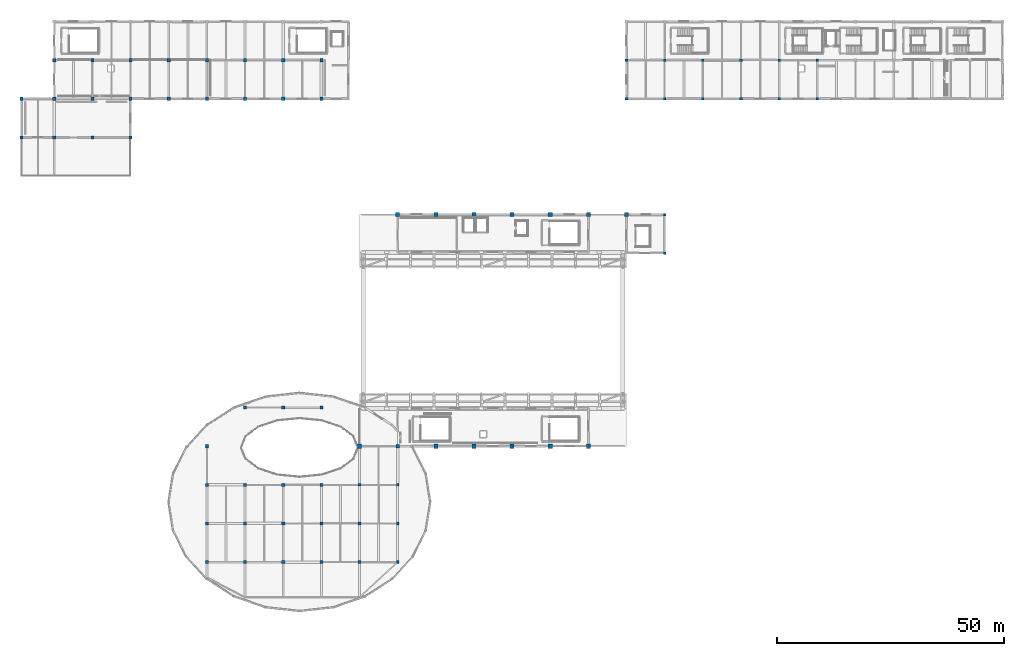
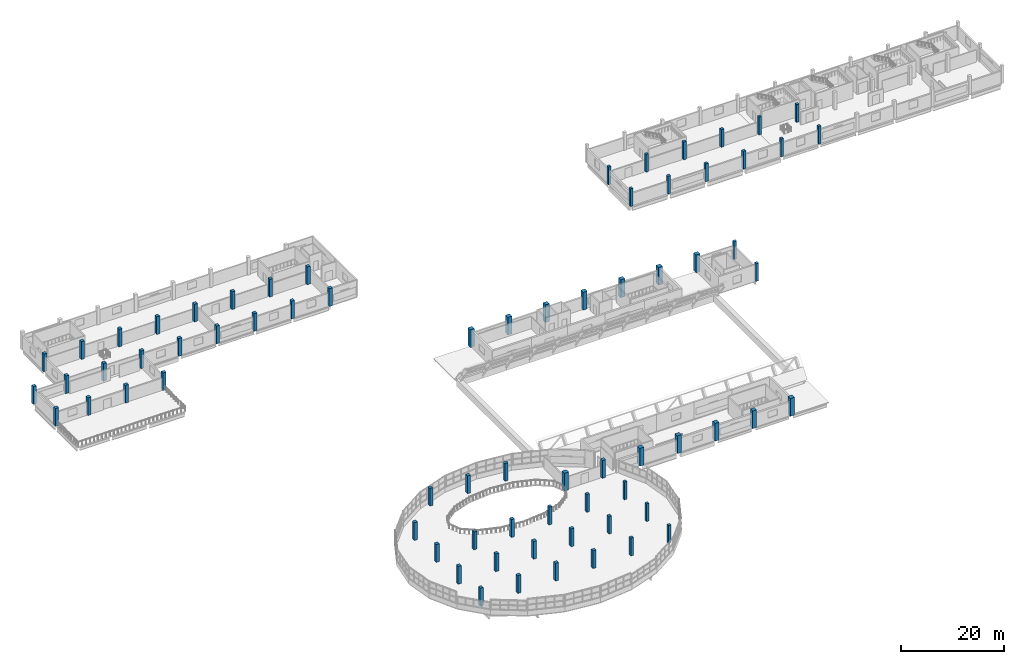
# One storey, part 1 of 52: 71 columns.
"""IFC4 building model written with IfcOpenShell, lengths in metres."""

from ifc_helpers import new_model, si_unit, direction, frame, origin, origin_2d, place, context, subcontext, project, spatial, rectangle, extrude, material, material_profile, profile_set, type_object, element, save


model = new_model("IFC4")

# Units and contexts
model_context = context("Model", 3, precision=1e-05, world=origin(), true_north=direction((0.0, 1.0)))
body_context = subcontext(model_context, "Body", "Model", "MODEL_VIEW")
ifc_project = project(units=[si_unit("LENGTHUNIT", "METRE"), si_unit("AREAUNIT", "SQUARE_METRE"), si_unit("VOLUMEUNIT", "CUBIC_METRE"), si_unit("PLANEANGLEUNIT", "RADIAN"), si_unit("MASSUNIT", "GRAM", prefix="KILO")], contexts=[model_context])

# Site, building, storey
site_placement = place(None, origin())
site = spatial("IfcSite", under=ifc_project, at=site_placement, CompositionType="ELEMENT")
building_placement = place(site_placement, origin())
building = spatial("IfcBuilding", under=site, at=building_placement, Name="Solvento Point Concert Hall", CompositionType="ELEMENT")
storey_placement = place(building_placement, frame((0.0, 0.0, 19.5)))
storey = spatial("IfcBuildingStorey", under=building, at=storey_placement, Name="L04", CompositionType="ELEMENT", Elevation=19.5)

# Columns
ifc_material_1 = material(Name="Concrete C40/50", Category="concrete")
ifc_material_profile_1 = material_profile(ifc_material_1, rectangle(XDim=0.60009765625, YDim=0.60009765625, at=origin_2d()), Name="RC-COL-600X600")
ifc_profile_set_1 = profile_set([ifc_material_profile_1], Name="Concrete C40/50")
column_type_1 = type_object("IfcColumnType", Name="Col_RC_600", PredefinedType="COLUMN", material=ifc_profile_set_1)
for number, where, z_axis, x_axis, name in (
    (1, (74.39990234375, 17.0, 0.0), (0.0, 0.0, 1.0), (1.0, 0.0, 0.0), "Column C-88 10/C L04"),
    (2, (74.39990234375, 25.5, 0.0), (0.0, 0.0, 1.0), (1.0, 0.0, 0.0), "Column C-88 10/D L04"),
    (3, (74.39990234375, 34.0, 0.0), (0.0, 0.0, 1.0), (1.0, 0.0, 0.0), "Column C-88 10/E L04"),
    (4, (82.800048828125, 17.0, 0.0), (0.0, 0.0, 1.0), (1.0, 0.0, 0.0), "Column C-88 11/C L04"),
    (5, (82.800048828125, 25.5, 0.0), (0.0, 0.0, 1.0), (1.0, 0.0, 0.0), "Column C-88 11/D L04"),
    (6, (82.800048828125, 34.0, 0.0), (0.0, 0.0, 1.0), (1.0, 0.0, 0.0), "Column C-88 11/E L04"),
    (7, (133.199951171875, 119.0, 0.0), (0.0, 0.0, 1.0), (1.0, 0.0, 0.0), "Column C-88 17/Q L04"),
    (8, (133.199951171875, 127.5, 0.0), (0.0, 0.0, 1.0), (1.0, 0.0, 0.0), "Column C-88 17/R L04"),
    (9, (141.60009765625, 85.0, 0.0), (0.0, 0.0, 1.0), (1.0, 0.0, 0.0), "Column C-88 18/L L04"),
    (10, (141.60009765625, 93.5, 0.0), (0.0, 0.0, 1.0), (1.0, 0.0, 0.0), "Column C-88 18/M L04"),
    (11, (141.60009765625, 119.0, 0.0), (0.0, 0.0, 1.0), (1.0, 0.0, 0.0), "Column C-88 18/Q L04"),
    (12, (141.60009765625, 127.5, 0.0), (0.0, 0.0, 1.0), (1.0, 0.0, 0.0), "Column C-88 18/R L04"),
    (13, (150.0, 119.0, 0.0), (0.0, 0.0, 1.0), (1.0, 0.0, 0.0), "Column C-88 19/Q L04"),
    (14, (150.0, 127.5, 0.0), (0.0, 0.0, 1.0), (1.0, 0.0, 0.0), "Column C-88 19/R L04"),
    (15, (158.39990234375, 119.0, 0.0), (0.0, 0.0, 1.0), (1.0, 0.0, 0.0), "Column C-88 20/Q L04"),
    (16, (158.39990234375, 127.5, 0.0), (0.0, 0.0, 1.0), (1.0, 0.0, 0.0), "Column C-88 20/R L04"),
    (17, (166.800048828125, 119.0, 0.0), (0.0, 0.0, 1.0), (1.0, 0.0, 0.0), "Column C-88 21/Q L04"),
    (18, (166.800048828125, 127.5, 0.0), (0.0, 0.0, 1.0), (1.0, 0.0, 0.0), "Column C-88 21/R L04"),
    (19, (175.199951171875, 119.0, 0.0), (0.0, 0.0, 1.0), (1.0, 0.0, 0.0), "Column C-88 22/Q L04"),
    (20, (175.199951171875, 127.5, 0.0), (0.0, 0.0, 1.0), (1.0, 0.0, 0.0), "Column C-88 22/R L04"),
):
    element("IfcColumn", number, at=place(storey_placement, frame(where, z_axis=z_axis, x_axis=x_axis)), inside=storey, type_object=column_type_1, Name=name, PredefinedType="COLUMN", context=body_context, shape_type="SweptSolid", body=[
        extrude(rectangle(XDim=0.60009765625, YDim=0.60009765625, at=origin_2d()), origin(), (0.0, 0.0, 1.0), 4.199951171875),
    ])
ifc_material_2 = material(Name="Concrete C40/50", Category="concrete")
ifc_material_profile_2 = material_profile(ifc_material_2, rectangle(XDim=0.699951171875, YDim=0.699951171875, at=origin_2d()), Name="RC-COL-700X700")
ifc_profile_set_2 = profile_set([ifc_material_profile_2], Name="Concrete C40/50")
column_type_2 = type_object("IfcColumnType", Name="Col_RC_700", PredefinedType="COLUMN", material=ifc_profile_set_2)
for number, where, z_axis, x_axis, name in (
    (21, (0.0, 110.5, 0.0), (0.0, 0.0, 1.0), (1.0, 0.0, 0.0), "Column C-73 01/P L04"),
    (22, (0.0, 119.0, 0.0), (0.0, 0.0, 1.0), (1.0, 0.0, 0.0), "Column C-73 01/Q L04"),
    (23, (7.199951171875, 110.5, 0.0), (0.0, 0.0, 1.0), (1.0, 0.0, 0.0), "Column C-73 02/P L04"),
    (24, (7.199951171875, 119.0, 0.0), (0.0, 0.0, 1.0), (1.0, 0.0, 0.0), "Column C-73 02/Q L04"),
    (25, (7.199951171875, 127.5, 0.0), (0.0, 0.0, 1.0), (1.0, 0.0, 0.0), "Column C-73 02/R L04"),
    (26, (15.60009765625, 110.5, 0.0), (0.0, 0.0, 1.0), (1.0, 0.0, 0.0), "Column C-73 03/P L04"),
    (27, (15.60009765625, 119.0, 0.0), (0.0, 0.0, 1.0), (1.0, 0.0, 0.0), "Column C-73 03/Q L04"),
    (28, (15.60009765625, 127.5, 0.0), (0.0, 0.0, 1.0), (1.0, 0.0, 0.0), "Column C-73 03/R L04"),
    (29, (24.0, 110.5, 0.0), (0.0, 0.0, 1.0), (1.0, 0.0, 0.0), "Column C-73 04/P L04"),
    (30, (24.0, 119.0, 0.0), (0.0, 0.0, 1.0), (1.0, 0.0, 0.0), "Column C-73 04/Q L04"),
    (31, (24.0, 127.5, 0.0), (0.0, 0.0, 1.0), (1.0, 0.0, 0.0), "Column C-73 04/R L04"),
    (32, (32.39990234375, 119.0, 0.0), (0.0, 0.0, 1.0), (1.0, 0.0, 0.0), "Column C-73 05/Q L04"),
    (33, (32.39990234375, 127.5, 0.0), (0.0, 0.0, 1.0), (1.0, 0.0, 0.0), "Column C-73 05/R L04"),
    (34, (40.800048828125, 17.0, 0.0), (0.0, 0.0, 1.0), (1.0, 0.0, 0.0), "Column C-73 06/C L04"),
    (35, (40.800048828125, 25.5, 0.0), (0.0, 0.0, 1.0), (1.0, 0.0, 0.0), "Column C-73 06/D L04"),
    (36, (40.800048828125, 34.0, 0.0), (0.0, 0.0, 1.0), (1.0, 0.0, 0.0), "Column C-73 06/E L04"),
    (37, (40.800048828125, 42.5, 0.0), (0.0, 0.0, 1.0), (1.0, 0.0, 0.0), "Column C-73 06/F L04"),
    (38, (40.800048828125, 119.0, 0.0), (0.0, 0.0, 1.0), (1.0, 0.0, 0.0), "Column C-73 06/Q L04"),
    (39, (40.800048828125, 127.5, 0.0), (0.0, 0.0, 1.0), (1.0, 0.0, 0.0), "Column C-73 06/R L04"),
    (40, (49.199951171875, 17.0, 0.0), (0.0, 0.0, 1.0), (1.0, 0.0, 0.0), "Column C-73 07/C L04"),
    (41, (49.199951171875, 25.5, 0.0), (0.0, 0.0, 1.0), (1.0, 0.0, 0.0), "Column C-73 07/D L04"),
    (42, (49.199951171875, 34.0, 0.0), (0.0, 0.0, 1.0), (1.0, 0.0, 0.0), "Column C-73 07/E L04"),
    (43, (49.199951171875, 51.0, 0.0), (0.0, 0.0, 1.0), (1.0, 0.0, 0.0), "Column C-73 07/G L04"),
    (44, (49.199951171875, 119.0, 0.0), (0.0, 0.0, 1.0), (1.0, 0.0, 0.0), "Column C-73 07/Q L04"),
    (45, (49.199951171875, 127.5, 0.0), (0.0, 0.0, 1.0), (1.0, 0.0, 0.0), "Column C-73 07/R L04"),
    (46, (57.60009765625, 17.0, 0.0), (0.0, 0.0, 1.0), (1.0, 0.0, 0.0), "Column C-73 08/C L04"),
    (47, (57.60009765625, 25.5, 0.0), (0.0, 0.0, 1.0), (1.0, 0.0, 0.0), "Column C-73 08/D L04"),
    (48, (57.60009765625, 34.0, 0.0), (0.0, 0.0, 1.0), (1.0, 0.0, 0.0), "Column C-73 08/E L04"),
    (49, (57.60009765625, 51.0, 0.0), (0.0, 0.0, 1.0), (1.0, 0.0, 0.0), "Column C-73 08/G L04"),
    (50, (57.60009765625, 119.0, 0.0), (0.0, 0.0, 1.0), (1.0, 0.0, 0.0), "Column C-73 08/Q L04"),
    (51, (57.60009765625, 127.5, 0.0), (0.0, 0.0, 1.0), (1.0, 0.0, 0.0), "Column C-73 08/R L04"),
    (52, (66.0, 17.0, 0.0), (0.0, 0.0, 1.0), (1.0, 0.0, 0.0), "Column C-73 09/C L04"),
    (53, (66.0, 25.5, 0.0), (0.0, 0.0, 1.0), (1.0, 0.0, 0.0), "Column C-73 09/D L04"),
    (54, (66.0, 34.0, 0.0), (0.0, 0.0, 1.0), (1.0, 0.0, 0.0), "Column C-73 09/E L04"),
    (55, (66.0, 51.0, 0.0), (0.0, 0.0, 1.0), (1.0, 0.0, 0.0), "Column C-73 09/G L04"),
    (56, (66.0, 119.0, 0.0), (0.0, 0.0, 1.0), (1.0, 0.0, 0.0), "Column C-73 09/Q L04"),
    (57, (66.0, 127.5, 0.0), (0.0, 0.0, 1.0), (1.0, 0.0, 0.0), "Column C-73 09/R L04"),
):
    element("IfcColumn", number, at=place(storey_placement, frame(where, z_axis=z_axis, x_axis=x_axis)), inside=storey, type_object=column_type_2, Name=name, PredefinedType="COLUMN", context=body_context, shape_type="SweptSolid", body=[
        extrude(rectangle(XDim=0.699951171875, YDim=0.699951171875, at=origin_2d()), origin(), (0.0, 0.0, 1.0), 4.199951171875),
    ])
ifc_material_3 = material(Name="Concrete C40/50", Category="concrete")
ifc_material_profile_3 = material_profile(ifc_material_3, rectangle(XDim=0.75, YDim=0.75, at=origin_2d()), Name="RC-COL-750X750")
ifc_profile_set_3 = profile_set([ifc_material_profile_3], Name="Concrete C40/50")
column_type_3 = type_object("IfcColumnType", Name="Col_RC_750", PredefinedType="COLUMN", material=ifc_profile_set_3)
column_placement = place(storey_placement, frame((82.800048828125, 42.5, 0.0), z_axis=(0.0, 0.0, 1.0), x_axis=(1.0, 0.0, 0.0)))
element("IfcColumn", 58, at=column_placement, inside=storey, type_object=column_type_3, Name="Column C-29 11/F L04", PredefinedType="COLUMN", context=body_context, shape_type="SweptSolid", body=[
    extrude(rectangle(XDim=0.75, YDim=0.75, at=origin_2d()), origin(), (0.0, 0.0, 1.0), 4.199951171875),
])
ifc_material_4 = material(Name="Concrete C40/50", Category="concrete")
ifc_material_profile_4 = material_profile(ifc_material_4, rectangle(XDim=0.89990234375, YDim=0.89990234375, at=origin_2d()), Name="RC-COL-900X900")
ifc_profile_set_4 = profile_set([ifc_material_profile_4], Name="Concrete C40/50")
column_type_4 = type_object("IfcColumnType", Name="Col_RC_900", PredefinedType="COLUMN", material=ifc_profile_set_4)
for number, where, z_axis, x_axis, name in (
    (59, (74.39990234375, 42.5, 0.0), (0.0, 0.0, 1.0), (1.0, 0.0, 0.0), "Column C-14 10/F L04"),
    (60, (82.800048828125, 93.5, 0.0), (0.0, 0.0, 1.0), (1.0, 0.0, 0.0), "Column C-14 11/M L04"),
    (61, (91.199951171875, 42.5, 0.0), (0.0, 0.0, 1.0), (1.0, 0.0, 0.0), "Column C-14 12/F L04"),
    (62, (91.199951171875, 93.5, 0.0), (0.0, 0.0, 1.0), (1.0, 0.0, 0.0), "Column C-14 12/M L04"),
    (63, (99.60009765625, 42.5, 0.0), (0.0, 0.0, 1.0), (1.0, 0.0, 0.0), "Column C-14 13/F L04"),
    (64, (99.60009765625, 93.5, 0.0), (0.0, 0.0, 1.0), (1.0, 0.0, 0.0), "Column C-14 13/M L04"),
    (65, (108.0, 42.5, 0.0), (0.0, 0.0, 1.0), (1.0, 0.0, 0.0), "Column C-14 14/F L04"),
    (66, (108.0, 93.5, 0.0), (0.0, 0.0, 1.0), (1.0, 0.0, 0.0), "Column C-14 14/M L04"),
    (67, (116.39990234375, 42.5, 0.0), (0.0, 0.0, 1.0), (1.0, 0.0, 0.0), "Column C-14 15/F L04"),
    (68, (116.39990234375, 93.5, 0.0), (0.0, 0.0, 1.0), (1.0, 0.0, 0.0), "Column C-14 15/M L04"),
    (69, (124.800048828125, 42.5, 0.0), (0.0, 0.0, 1.0), (1.0, 0.0, 0.0), "Column C-14 16/F L04"),
    (70, (124.800048828125, 93.5, 0.0), (0.0, 0.0, 1.0), (1.0, 0.0, 0.0), "Column C-14 16/M L04"),
    (71, (133.199951171875, 93.5, 0.0), (0.0, 0.0, 1.0), (1.0, 0.0, 0.0), "Column C-14 17/M L04"),
):
    element("IfcColumn", number, at=place(storey_placement, frame(where, z_axis=z_axis, x_axis=x_axis)), inside=storey, type_object=column_type_4, Name=name, PredefinedType="COLUMN", context=body_context, shape_type="SweptSolid", body=[
        extrude(rectangle(XDim=0.89990234375, YDim=0.89990234375, at=origin_2d()), origin(), (0.0, 0.0, 1.0), 4.199951171875),
    ])

save(model, "model.ifc")
